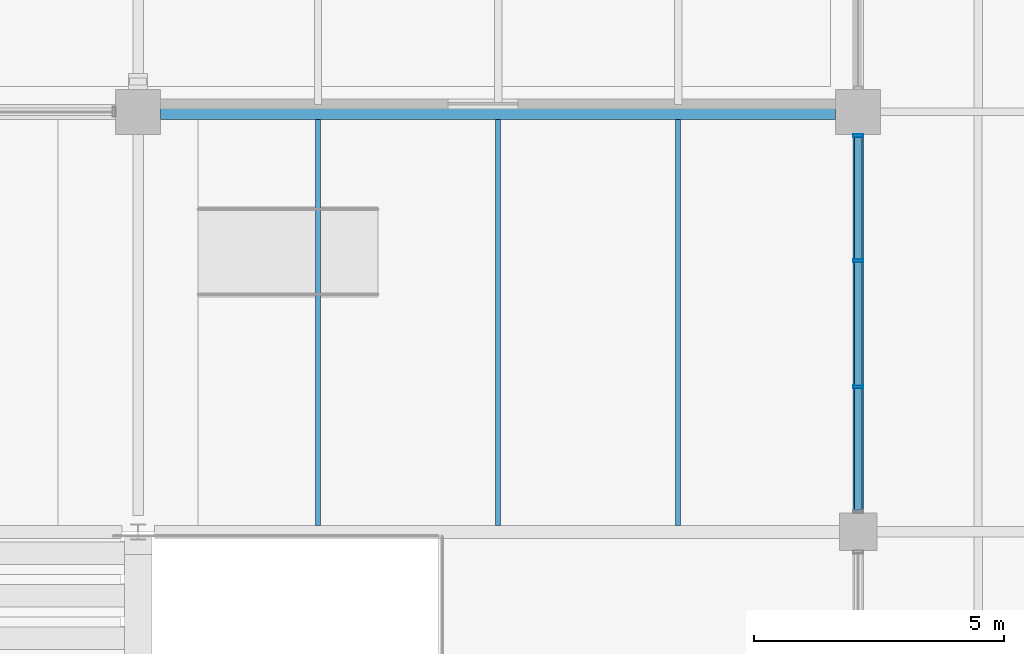
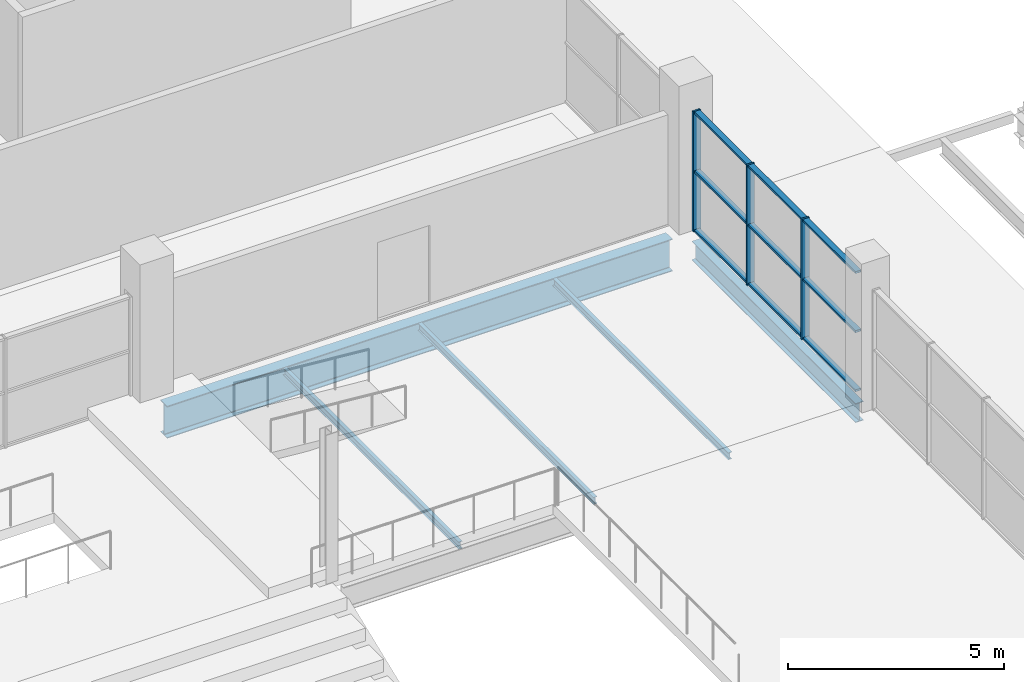
# One storey, part 73 of 161: 12 members, 5 beams, 1 element without a shape of its own.
"""IFC4 building model written with IfcOpenShell, lengths in metres."""

from ifc_helpers import new_model, si_unit, direction, frame, origin, origin_2d, place, context, subcontext, project, spatial, hollow_rectangle, i_section, extrude, material, material_profile, profile_set, type_object, element, aggregate, save


model = new_model("IFC4")

# Units and contexts
model_context = context("Model", 3, precision=1e-05, world=origin(), true_north=direction((0.0, 1.0)))
body_context = subcontext(model_context, "Body", "Model", "MODEL_VIEW")
ifc_project = project(units=[si_unit("LENGTHUNIT", "METRE"), si_unit("AREAUNIT", "SQUARE_METRE"), si_unit("VOLUMEUNIT", "CUBIC_METRE"), si_unit("PLANEANGLEUNIT", "RADIAN"), si_unit("MASSUNIT", "GRAM", prefix="KILO"), si_unit("THERMODYNAMICTEMPERATUREUNIT", "KELVIN")], contexts=[model_context])

# Site, building, storey
site_placement = place(None, origin())
site = spatial("IfcSite", under=ifc_project, at=site_placement, CompositionType="ELEMENT")
building_placement = place(site_placement, origin())
building = spatial("IfcBuilding", under=site, at=building_placement, Name="Nduvali Passage Aquatics Centre", CompositionType="ELEMENT")
storey_placement = place(building_placement, frame((0.0, 0.0, 4.800048828125)))
storey = spatial("IfcBuildingStorey", under=building, at=storey_placement, Name="L01", CompositionType="ELEMENT", Elevation=4.800048828125)

# Curtain wall, members
ifc_material_1 = material(Name="Aluminium EN AW-6063 T6", Category="aluminium")
curtain_wall_type = type_object("IfcCurtainWallType", Name="ENV-CW-HALL", PredefinedType="NOTDEFINED", material=ifc_material_1)
curtain_wall_placement = place(storey_placement, origin())
curtain_wall = element("IfcCurtainWall", 1, at=curtain_wall_placement, inside=storey, type_object=curtain_wall_type, Name="L01 East Passage Pool Hall Gallery Glazing 041", PredefinedType="NOTDEFINED")
ifc_material_profile_1 = material_profile(ifc_material_1, hollow_rectangle(XDim=0.06005859375, YDim=0.199951171875, WallThickness=0.00390625, at=origin_2d()), Name="ALU MULLION 60x200x4")
ifc_profile_set_1 = profile_set([ifc_material_profile_1], Name="Aluminium EN AW-6063 T6")
member_type_1 = type_object("IfcMemberType", Name="ENV-MEM-MUL80", PredefinedType="MULLION", material=ifc_profile_set_1)
member_1_placement = place(storey_placement, frame((126.0, 86.89990234375, 0.0), z_axis=(0.0, 0.0, 1.0), x_axis=(0.0, 1.0, 0.0)))
member_1 = element("IfcMember", 2, at=member_1_placement, type_object=member_type_1, Name="East Passage Pool Hall Gallery Glazing Mullion 2", PredefinedType="MULLION", context=body_context, shape_type="SweptSolid", body=[
    extrude(hollow_rectangle(XDim=0.06005859375, YDim=0.199951171875, WallThickness=0.00390625, at=origin_2d()), origin(), (0.0, 0.0, 1.0), 3.396484375),
])
member_2_placement = place(storey_placement, frame((126.0, 89.425048828125, 0.0), z_axis=(0.0, 0.0, 1.0), x_axis=(0.0, 1.0, 0.0)))
member_2 = element("IfcMember", 3, at=member_2_placement, type_object=member_type_1, Name="East Passage Pool Hall Gallery Glazing Mullion 3", PredefinedType="MULLION", context=body_context, shape_type="SweptSolid", body=[
    extrude(hollow_rectangle(XDim=0.06005859375, YDim=0.199951171875, WallThickness=0.00390625, at=origin_2d()), origin(), (0.0, 0.0, 1.0), 3.396484375),
])
member_3_placement = place(storey_placement, frame((126.0, 91.919921875, 0.0), z_axis=(0.0, 0.0, 1.0), x_axis=(0.0, 1.0, 0.0)))
member_3 = element("IfcMember", 4, at=member_3_placement, type_object=member_type_1, Name="East Passage Pool Hall Gallery Glazing Mullion 4", PredefinedType="MULLION", context=body_context, shape_type="SweptSolid", body=[
    extrude(hollow_rectangle(XDim=0.06005859375, YDim=0.199951171875, WallThickness=0.00390625, at=origin_2d()), origin(), (0.0, 0.0, 1.0), 3.396484375),
])
ifc_material_profile_2 = material_profile(ifc_material_1, hollow_rectangle(XDim=0.14990234375, YDim=0.06005859375, WallThickness=0.00390625, at=origin_2d()), Name="ALU TRANSOM 150x60x4")
ifc_profile_set_2 = profile_set([ifc_material_profile_2], Name="Aluminium EN AW-6063 T6")
member_type_2 = type_object("IfcMemberType", Name="ENV-MEM-TRN80", PredefinedType="USERDEFINED", material=ifc_profile_set_2)
member_4_placement = place(storey_placement, frame((126.0, 84.43505859375, 0.030029296875), z_axis=(0.0, 1.0, 0.0), x_axis=(-1.0, 0.0, 0.0)))
member_4 = element("IfcMember", 5, at=member_4_placement, type_object=member_type_2, Name="East Passage Pool Hall Gallery Glazing Transom B1-R0", ObjectType="TRANSOM", PredefinedType="USERDEFINED", context=body_context, shape_type="SweptSolid", body=[
    extrude(hollow_rectangle(XDim=0.14990234375, YDim=0.06005859375, WallThickness=0.00390625, at=origin_2d()), origin(), (0.0, 0.0, 1.0), 2.43505859375),
])
member_5_placement = place(storey_placement, frame((126.0, 84.43505859375, 1.6982421875), z_axis=(0.0, 1.0, 0.0), x_axis=(-1.0, 0.0, 0.0)))
member_5 = element("IfcMember", 6, at=member_5_placement, type_object=member_type_2, Name="East Passage Pool Hall Gallery Glazing Transom B1-R1", ObjectType="TRANSOM", PredefinedType="USERDEFINED", context=body_context, shape_type="SweptSolid", body=[
    extrude(hollow_rectangle(XDim=0.14990234375, YDim=0.06005859375, WallThickness=0.00390625, at=origin_2d()), origin(), (0.0, 0.0, 1.0), 2.43505859375),
])
member_6_placement = place(storey_placement, frame((126.0, 84.43505859375, 3.366455078125), z_axis=(0.0, 1.0, 0.0), x_axis=(-1.0, 0.0, 0.0)))
member_6 = element("IfcMember", 7, at=member_6_placement, type_object=member_type_2, Name="East Passage Pool Hall Gallery Glazing Transom B1-R2", ObjectType="TRANSOM", PredefinedType="USERDEFINED", context=body_context, shape_type="SweptSolid", body=[
    extrude(hollow_rectangle(XDim=0.14990234375, YDim=0.06005859375, WallThickness=0.00390625, at=origin_2d()), origin(), (0.0, 0.0, 1.0), 2.43505859375),
])
member_7_placement = place(storey_placement, frame((126.0, 86.929931640625, 0.030029296875), z_axis=(0.0, 1.0, 0.0), x_axis=(-1.0, 0.0, 0.0)))
member_7 = element("IfcMember", 8, at=member_7_placement, type_object=member_type_2, Name="East Passage Pool Hall Gallery Glazing Transom B2-R0", ObjectType="TRANSOM", PredefinedType="USERDEFINED", context=body_context, shape_type="SweptSolid", body=[
    extrude(hollow_rectangle(XDim=0.14990234375, YDim=0.06005859375, WallThickness=0.00390625, at=origin_2d()), origin(), (0.0, 0.0, 1.0), 2.465087890625),
])
member_8_placement = place(storey_placement, frame((126.0, 86.929931640625, 1.6982421875), z_axis=(0.0, 1.0, 0.0), x_axis=(-1.0, 0.0, 0.0)))
member_8 = element("IfcMember", 9, at=member_8_placement, type_object=member_type_2, Name="East Passage Pool Hall Gallery Glazing Transom B2-R1", ObjectType="TRANSOM", PredefinedType="USERDEFINED", context=body_context, shape_type="SweptSolid", body=[
    extrude(hollow_rectangle(XDim=0.14990234375, YDim=0.06005859375, WallThickness=0.00390625, at=origin_2d()), origin(), (0.0, 0.0, 1.0), 2.465087890625),
])
member_9_placement = place(storey_placement, frame((126.0, 86.929931640625, 3.366455078125), z_axis=(0.0, 1.0, 0.0), x_axis=(-1.0, 0.0, 0.0)))
member_9 = element("IfcMember", 10, at=member_9_placement, type_object=member_type_2, Name="East Passage Pool Hall Gallery Glazing Transom B2-R2", ObjectType="TRANSOM", PredefinedType="USERDEFINED", context=body_context, shape_type="SweptSolid", body=[
    extrude(hollow_rectangle(XDim=0.14990234375, YDim=0.06005859375, WallThickness=0.00390625, at=origin_2d()), origin(), (0.0, 0.0, 1.0), 2.465087890625),
])
member_10_placement = place(storey_placement, frame((126.0, 89.455078125, 0.030029296875), z_axis=(0.0, 1.0, 0.0), x_axis=(-1.0, 0.0, 0.0)))
member_10 = element("IfcMember", 11, at=member_10_placement, type_object=member_type_2, Name="East Passage Pool Hall Gallery Glazing Transom B3-R0", ObjectType="TRANSOM", PredefinedType="USERDEFINED", context=body_context, shape_type="SweptSolid", body=[
    extrude(hollow_rectangle(XDim=0.14990234375, YDim=0.06005859375, WallThickness=0.00390625, at=origin_2d()), origin(), (0.0, 0.0, 1.0), 2.434814453125),
])
member_11_placement = place(storey_placement, frame((126.0, 89.455078125, 1.6982421875), z_axis=(0.0, 1.0, 0.0), x_axis=(-1.0, 0.0, 0.0)))
member_11 = element("IfcMember", 12, at=member_11_placement, type_object=member_type_2, Name="East Passage Pool Hall Gallery Glazing Transom B3-R1", ObjectType="TRANSOM", PredefinedType="USERDEFINED", context=body_context, shape_type="SweptSolid", body=[
    extrude(hollow_rectangle(XDim=0.14990234375, YDim=0.06005859375, WallThickness=0.00390625, at=origin_2d()), origin(), (0.0, 0.0, 1.0), 2.434814453125),
])
member_12_placement = place(storey_placement, frame((126.0, 89.455078125, 3.366455078125), z_axis=(0.0, 1.0, 0.0), x_axis=(-1.0, 0.0, 0.0)))
member_12 = element("IfcMember", 13, at=member_12_placement, type_object=member_type_2, Name="East Passage Pool Hall Gallery Glazing Transom B3-R2", ObjectType="TRANSOM", PredefinedType="USERDEFINED", context=body_context, shape_type="SweptSolid", body=[
    extrude(hollow_rectangle(XDim=0.14990234375, YDim=0.06005859375, WallThickness=0.00390625, at=origin_2d()), origin(), (0.0, 0.0, 1.0), 2.434814453125),
])
aggregate(curtain_wall, [member_1, member_2, member_3, member_4, member_5, member_6, member_7, member_8, member_9, member_10, member_11, member_12])

# Beams
ifc_material_2 = material(Name="Steel S355", Category="steel")
ifc_material_profile_3 = material_profile(ifc_material_2, i_section(OverallWidth=0.210693359375, OverallDepth=0.53955078125, WebThickness=0.01171875, FlangeThickness=0.018798828125, FilletRadius=0.0126953125, at=origin_2d()), Name="UKB 533x210x109")
ifc_profile_set_3 = profile_set([ifc_material_profile_3], Name="Steel S355")
beam_type_1 = type_object("IfcBeamType", Name="STR-BM-UKB533-EXT", PredefinedType="BEAM", material=ifc_profile_set_3)
beam_1_placement = place(storey_placement, frame((126.0, 84.375, -0.553955078125), z_axis=(0.0, 1.0, 0.0), x_axis=(-1.0, 0.0, 0.0)))
element("IfcBeam", 14, at=beam_1_placement, inside=storey, type_object=beam_type_1, Name="L01 Primary Y-Girder B6E-0632", PredefinedType="BEAM", context=body_context, shape_type="SweptSolid", body=[
    extrude(i_section(OverallWidth=0.210693359375, OverallDepth=0.53955078125, WebThickness=0.01171875, FlangeThickness=0.018798828125, FilletRadius=0.0126953125, at=origin_2d()), origin(), (0.0, 0.0, 1.0), 7.574951171875),
])
ifc_material_profile_4 = material_profile(ifc_material_2, i_section(OverallWidth=0.30419921875, OverallDepth=0.910400390625, WebThickness=0.015869140625, FlangeThickness=0.02392578125, FilletRadius=0.01904296875, at=origin_2d()), Name="UKB 914x305x224")
ifc_profile_set_4 = profile_set([ifc_material_profile_4], Name="Steel S355")
beam_type_2 = type_object("IfcBeamType", Name="STR-BM-UKB914-EXT", PredefinedType="BEAM", material=ifc_profile_set_4)
beam_2_placement = place(storey_placement, frame((112.050048828125, 92.39990234375, -0.7392578125), z_axis=(1.0, 0.0, 0.0), x_axis=(0.0, 1.0, 0.0)))
element("IfcBeam", 15, at=beam_2_placement, inside=storey, type_object=beam_type_2, Name="L01 Primary X-Girder B4AE-0530", PredefinedType="BEAM", context=body_context, shape_type="SweptSolid", body=[
    extrude(i_section(OverallWidth=0.30419921875, OverallDepth=0.910400390625, WebThickness=0.015869140625, FlangeThickness=0.02392578125, FilletRadius=0.01904296875, at=origin_2d()), origin(), (0.0, 0.0, 1.0), 13.5),
])
ifc_material_profile_5 = material_profile(ifc_material_2, i_section(OverallWidth=0.10009765625, OverallDepth=0.199951171875, WebThickness=0.005615234375, FlangeThickness=0.008544921875, FilletRadius=0.011962890625, at=origin_2d()), Name="IPE 200")
ifc_profile_set_5 = profile_set([ifc_material_profile_5], Name="Steel S355")
beam_type_3 = type_object("IfcBeamType", Name="STR-JST-IPE200", PredefinedType="JOIST", material=ifc_profile_set_5)
for number, where, z_axis, x_axis, name in (
    (16, (115.199951171875, 84.126708984375, -0.384033203125), (0.0, 1.0, 0.0), (-1.0, 0.0, 0.0), "L01 Secondary Joist J9A-0807"),
    (17, (118.800048828125, 84.126708984375, -0.384033203125), (0.0, 1.0, 0.0), (-1.0, 0.0, 0.0), "L01 Secondary Joist J9A-0808"),
    (18, (122.39990234375, 84.126708984375, -0.384033203125), (0.0, 1.0, 0.0), (-1.0, 0.0, 0.0), "L01 Secondary Joist J9A-0809"),
):
    element("IfcBeam", number, at=place(storey_placement, frame(where, z_axis=z_axis, x_axis=x_axis)), inside=storey, type_object=beam_type_3, Name=name, PredefinedType="JOIST", context=body_context, shape_type="SweptSolid", body=[
        extrude(i_section(OverallWidth=0.10009765625, OverallDepth=0.199951171875, WebThickness=0.005615234375, FlangeThickness=0.008544921875, FilletRadius=0.011962890625, at=origin_2d()), origin(), (0.0, 0.0, 1.0), 8.121337890625),
    ])

save(model, "model.ifc")
